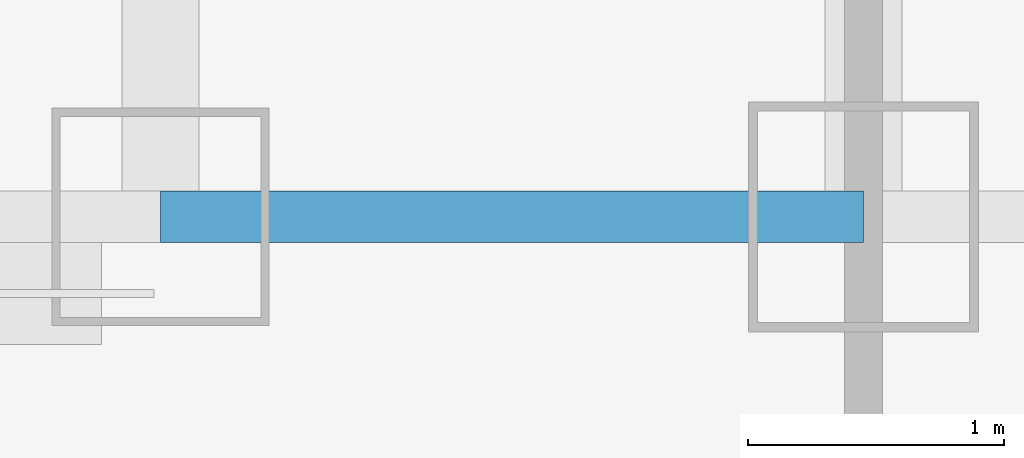
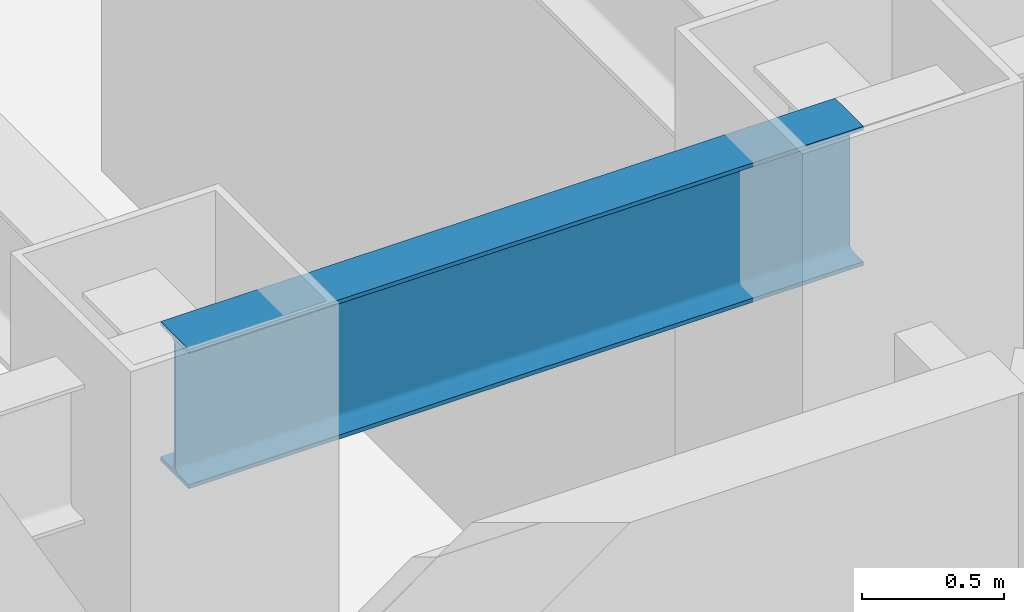
# One storey, part 3 of 31: 1 beam.
"""IFC4 building model written with IfcOpenShell, lengths in metres."""

from ifc_helpers import new_model, si_unit, direction, frame, origin, origin_2d, place, context, subcontext, project, spatial, i_section, extrude, material, material_profile, profile_set, type_object, element, save


model = new_model("IFC4")

# Units and contexts
model_context = context("Model", 3, precision=1e-05, world=origin(), true_north=direction((0.0, 1.0)))
body_context = subcontext(model_context, "Body", "Model", "MODEL_VIEW")
ifc_project = project(units=[si_unit("LENGTHUNIT", "METRE"), si_unit("AREAUNIT", "SQUARE_METRE"), si_unit("VOLUMEUNIT", "CUBIC_METRE"), si_unit("PLANEANGLEUNIT", "RADIAN"), si_unit("MASSUNIT", "GRAM", prefix="KILO")], contexts=[model_context])

# Site, building, storey
site_placement = place(None, origin())
site = spatial("IfcSite", under=ifc_project, at=site_placement, CompositionType="ELEMENT")
building_placement = place(site_placement, origin())
building = spatial("IfcBuilding", under=site, at=building_placement, Name="Hatsunagi Terrace Concourse", CompositionType="ELEMENT")
storey_placement = place(building_placement, frame((0.0, 0.0, 112.050048828125)))
storey = spatial("IfcBuildingStorey", under=building, at=storey_placement, Name="L29", CompositionType="ELEMENT", Elevation=112.050048828125)

# Beam
ifc_material = material(Name="Steel SN490B", Category="steel")
ifc_material_profile = material_profile(ifc_material, i_section(OverallWidth=0.199951171875, OverallDepth=0.60009765625, WebThickness=0.010986328125, FlangeThickness=0.01708984375, FilletRadius=0.01806640625, at=origin_2d()), Name="H-600x200x11x17")
ifc_profile_set = profile_set([ifc_material_profile], Name="Steel SN490B")
beam_type = type_object("IfcBeamType", Name="PerimeterSpandrel_H_600x200", PredefinedType="SPANDREL", material=ifc_profile_set)
beam_placement = place(storey_placement, frame((22.800048828125, 25.199951171875, 3.050048828125), z_axis=(1.0, 0.0, 0.0), x_axis=(0.0, 1.0, 0.0)))
element("IfcBeam", 1, at=beam_placement, inside=storey, type_object=beam_type, Name="Beam SP-01 BM-L29-WS-22", PredefinedType="SPANDREL", context=body_context, shape_type="SweptSolid", body=[
    extrude(i_section(OverallWidth=0.199951171875, OverallDepth=0.60009765625, WebThickness=0.010986328125, FlangeThickness=0.01708984375, FilletRadius=0.01806640625, at=origin_2d()), origin(), (0.0, 0.0, 1.0), 2.75),
])

save(model, "model.ifc")
